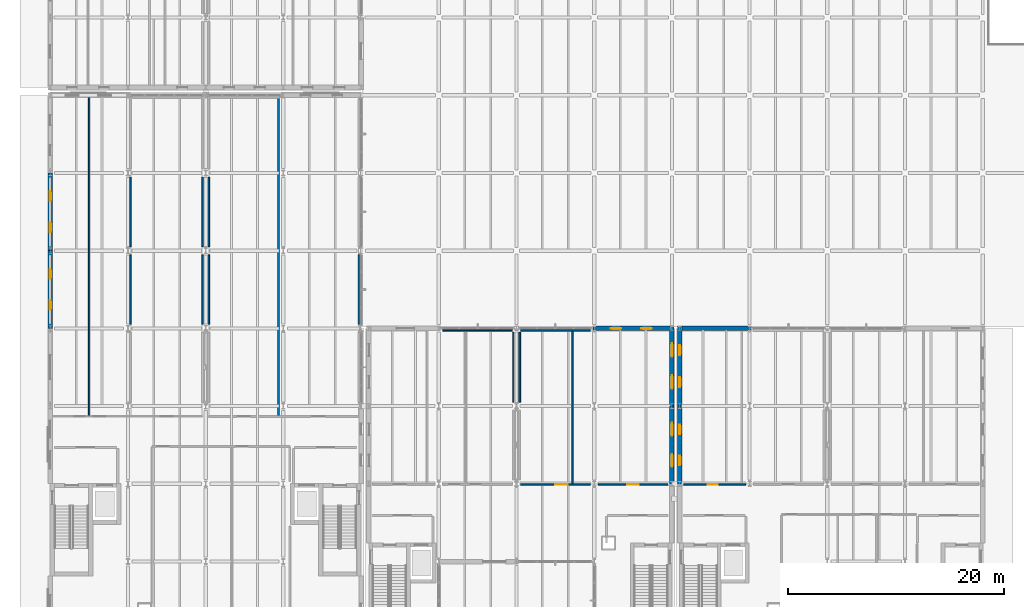
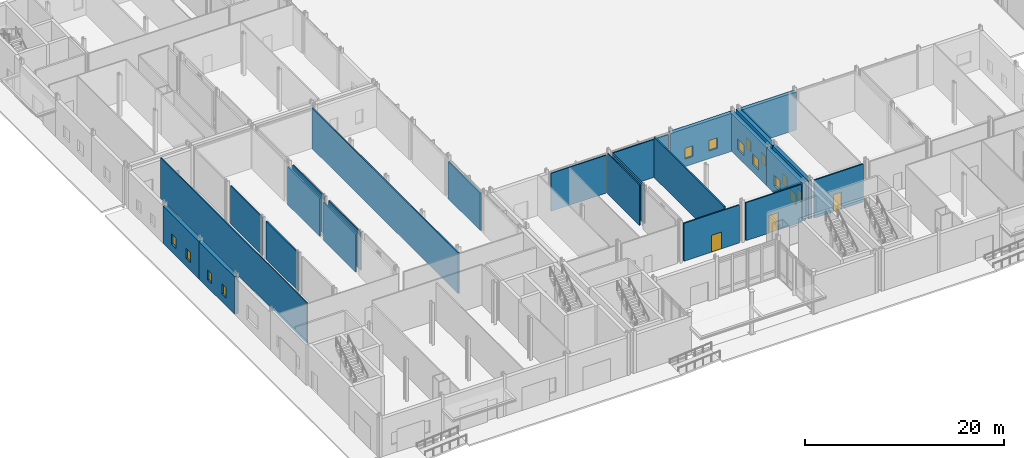
# One storey, part 61 of 89: 25 walls, 14 windows, 3 doors, 17 openings.
"""IFC4 building model written with IfcOpenShell, lengths in metres."""

import ifcopenshell
import ifcopenshell.guid

model = None  # the IFC model being written
_history = None  # IfcOwnerHistory: only IFC2X3 demands one
_inside = {}  # id of a spatial element -> (the spatial element, [elements in it])
_under = {}  # id of a project, library or spatial element -> (it, [spatial elements below it])
_declared = {}  # id of a project -> (the project, [libraries it declares])
_typed = {}  # id of a type object -> (the type object, [elements of that type])
_made_of = {}  # id of a material, layer set ... -> (it, [elements and type objects made of it])


def new_model(schema):
    """Start an empty IFC model of exactly this schema.

    Asked for "IFC4X3", IfcOpenShell would pick the latest addendum, in which some entities
    have other attributes; the version numbers below select the first issue.
    IFC2X3 requires an IfcOwnerHistory on every rooted entity: one is made here for all.
    """
    global model, _history
    if schema == "IFC4X3":
        model = ifcopenshell.file(schema_version=(4, 3, 0, 0))
    else:
        model = ifcopenshell.file(schema=schema)
    _inside.clear()
    _under.clear()
    _declared.clear()
    _typed.clear()
    _made_of.clear()
    _history = None
    if model.schema == "IFC2X3":
        org = make("IfcOrganization", Name="unknown")
        user = make(
            "IfcPersonAndOrganization",
            ThePerson=make("IfcPerson", FamilyName="unknown"),
            TheOrganization=org,
        )
        app = make(
            "IfcApplication",
            ApplicationDeveloper=org,
            Version="unknown",
            ApplicationFullName="unknown",
            ApplicationIdentifier="unknown",
        )
        _history = make(
            "IfcOwnerHistory",
            OwningUser=user,
            OwningApplication=app,
            ChangeAction="ADDED",
            CreationDate=0,
        )
    return model


def make(cls, **values):
    """One entity of the class cls with the attributes given. An attribute that is None is left unset."""
    return model.create_entity(
        cls, **{name: value for name, value in values.items() if value is not None}
    )


def rooted(cls, **values):
    """An entity with a GlobalId (a new one), such as an element, a storey or a relation."""
    return make(cls, GlobalId=ifcopenshell.guid.new(), OwnerHistory=_history, **values)


def si_unit(unit_type, name, prefix=None):
    """IfcSIUnit, for example si_unit("LENGTHUNIT", "METRE", prefix="MILLI")."""
    return make("IfcSIUnit", UnitType=unit_type, Prefix=prefix, Name=name)


def assignment(units):
    """IfcUnitAssignment: the units of a project."""
    return None if units is None else make("IfcUnitAssignment", Units=units)


def point(xyz):
    """IfcCartesianPoint."""
    return None if xyz is None else make("IfcCartesianPoint", Coordinates=xyz)


def direction(xyz):
    """IfcDirection."""
    return None if xyz is None else make("IfcDirection", DirectionRatios=xyz)


def frame(location, z_axis=None, x_axis=None):
    """IfcAxis2Placement3D, a coordinate frame: its origin and axes. An axis left out is left unset."""
    return make(
        "IfcAxis2Placement3D",
        Location=point(location),
        Axis=direction(z_axis),
        RefDirection=direction(x_axis),
    )


def frame_2d(location, x_axis=None):
    """IfcAxis2Placement2D, a coordinate frame in the plane: its origin and x axis."""
    return make(
        "IfcAxis2Placement2D", Location=point(location), RefDirection=direction(x_axis)
    )


def origin():
    """The frame at (0, 0, 0) with its axes left unset."""
    return frame((0.0, 0.0, 0.0))


def place(relative_to, where):
    """IfcLocalPlacement: puts the frame where relative to a parent placement (None: the world)."""
    return make(
        "IfcLocalPlacement", PlacementRelTo=relative_to, RelativePlacement=where
    )


def context(
    kind, dimensions, precision=None, world=None, true_north=None, identifier=None
):
    """IfcGeometricRepresentationContext, for example the 3D "Model" context."""
    return make(
        "IfcGeometricRepresentationContext",
        ContextIdentifier=identifier,
        ContextType=kind,
        CoordinateSpaceDimension=dimensions,
        Precision=precision,
        WorldCoordinateSystem=world,
        TrueNorth=true_north,
    )


def subcontext(parent, identifier, kind, view, scale=None):
    """IfcGeometricRepresentationSubContext, for example "Body" below "Model"."""
    return make(
        "IfcGeometricRepresentationSubContext",
        ContextIdentifier=identifier,
        ContextType=kind,
        ParentContext=parent,
        TargetScale=scale,
        TargetView=view,
    )


def project(units=None, contexts=None):
    """IfcProject with its units and contexts."""
    return rooted(
        "IfcProject",
        Name="project",
        RepresentationContexts=contexts,
        UnitsInContext=assignment(units),
    )


def spatial(cls, under=None, at=None, **own):
    """A site, building, storey or space (cls), placed at a placement, below another one or the project."""
    s = rooted(cls, ObjectPlacement=at, **own)
    if under is not None:
        _under.setdefault(under.id(), (under, []))[1].append(s)
    return s


def profile(cls, at=None, kind="AREA", **sizes):
    """A parametric profile (cls). Its sizes go by their IFC names, for example OverallWidth=200.0."""
    return make(cls, ProfileType=kind, Position=at, **sizes)


def rectangle(**sizes):
    """IfcRectangleProfileDef."""
    return profile("IfcRectangleProfileDef", **sizes)


def extrude(swept, where, along, depth):
    """IfcExtrudedAreaSolid: the profile swept, set in the frame where, extruded along a direction by depth."""
    return make(
        "IfcExtrudedAreaSolid",
        SweptArea=swept,
        Position=where,
        ExtrudedDirection=direction(along),
        Depth=depth,
    )


def shape(context_of_items, identifier, shape_type, items):
    """IfcShapeRepresentation: the items that make up one representation, for example the "Body"."""
    return make(
        "IfcShapeRepresentation",
        ContextOfItems=context_of_items,
        RepresentationIdentifier=identifier,
        RepresentationType=shape_type,
        Items=items,
    )


def material(Name=None, Category=None):
    """IfcMaterial."""
    return make("IfcMaterial", Name=Name, Category=Category)


def layer(
    of_material, thickness, ventilated=None, Name=None, Category=None, Priority=None
):
    """IfcMaterialLayer: one layer of a wall or slab, of a material (None: an air gap)."""
    return make(
        "IfcMaterialLayer",
        Material=of_material,
        LayerThickness=thickness,
        IsVentilated=ventilated,
        Name=Name,
        Category=Category,
        Priority=Priority,
    )


def layer_set(layers, Name=None):
    """IfcMaterialLayerSet."""
    return make("IfcMaterialLayerSet", MaterialLayers=layers, LayerSetName=Name)


def made_of(thing, what):
    """Note that an element or type object is made of a material, layer set ...; save() writes the relation."""
    if what is not None:
        _made_of.setdefault(what.id(), (what, []))[1].append(thing)
    return thing


def type_object(cls, material=None, **own):
    """A type object (cls), such as IfcWallType, which elements share."""
    return made_of(rooted(cls, **own), material)


def element(
    cls,
    number,
    at=None,
    inside=None,
    cuts=None,
    type_object=None,
    material=None,
    context=None,
    identifier="Body",
    shape_type=None,
    held_by="IfcProductDefinitionShape",
    body=None,
    shapes=None,
    **own,
):
    """One element of the class cls, such as IfcWall. Its Tag is "e" and its number.

    at: its placement. inside: the storey or other place that contains it. cuts: it is an
    opening in that element (IfcRelVoidsElement). A single representation is given by context,
    identifier, shape_type and body (its items); several are given by shapes. held_by: the class
    of the entity that holds the representations. save() writes the other relations.
    """
    e = rooted(cls, Tag="e%d" % number, ObjectPlacement=at, **own)
    if body is not None:
        shapes = [shape(context, identifier, shape_type, body)]
    if shapes is not None:
        e.Representation = make(held_by, Representations=shapes)
    if inside is not None:
        _inside.setdefault(inside.id(), (inside, []))[1].append(e)
    if cuts is not None:
        rooted(
            "IfcRelVoidsElement", RelatingBuildingElement=cuts, RelatedOpeningElement=e
        )
    if type_object is not None:
        _typed.setdefault(type_object.id(), (type_object, []))[1].append(e)
    return made_of(e, material)


def fill(opening, filler):
    """IfcRelFillsElement: the door or window that sits in an opening."""
    return rooted(
        "IfcRelFillsElement",
        RelatingOpeningElement=opening,
        RelatedBuildingElement=filler,
    )


def aggregate(whole, parts):
    """IfcRelAggregates: a whole, such as a stair, and the parts it consists of."""
    return rooted("IfcRelAggregates", RelatingObject=whole, RelatedObjects=parts)


def save(model, path):
    """Write the relations noted so far, then the file.

    IfcRelAggregates (storeys below a building ...), IfcRelContainedInSpatialStructure (elements
    in a storey), IfcRelDefinesByType, IfcRelAssociatesMaterial and IfcRelDeclares: one each for
    every whole, place, type object, material and project.
    """
    for whole, parts in _under.values():
        aggregate(whole, parts)
    for where, things in _inside.values():
        rooted(
            "IfcRelContainedInSpatialStructure",
            RelatedElements=things,
            RelatingStructure=where,
        )
    for kind, things in _typed.values():
        rooted("IfcRelDefinesByType", RelatedObjects=things, RelatingType=kind)
    for what, things in _made_of.values():
        rooted("IfcRelAssociatesMaterial", RelatedObjects=things, RelatingMaterial=what)
    for by, libraries in _declared.values():
        rooted("IfcRelDeclares", RelatingContext=by, RelatedDefinitions=libraries)
    model.write(path)


model = new_model("IFC4")

# Units and contexts
model_context = context("Model", 3, precision=1e-05, world=origin(), true_north=direction((0.0, 1.0)))
body_context = subcontext(model_context, "Body", "Model", "MODEL_VIEW")
ifc_project = project(units=[si_unit("LENGTHUNIT", "METRE"), si_unit("AREAUNIT", "SQUARE_METRE"), si_unit("VOLUMEUNIT", "CUBIC_METRE"), si_unit("PLANEANGLEUNIT", "RADIAN"), si_unit("MASSUNIT", "GRAM", prefix="KILO")], contexts=[model_context])

# Site, building, storey
site_placement = place(None, origin())
site = spatial("IfcSite", under=ifc_project, at=site_placement, CompositionType="ELEMENT")
building_placement = place(site_placement, origin())
building = spatial("IfcBuilding", under=site, at=building_placement, Name="Zarrinpeak Specialist Clinic", CompositionType="ELEMENT")
storey_placement = place(building_placement, origin())
storey = spatial("IfcBuildingStorey", under=building, at=storey_placement, Name="L00", CompositionType="ELEMENT", Elevation=0.0)

# Wall, openings, windows
ifc_material_1 = material(Name="Precast concrete C40/50", Category="concrete")
ifc_layer_1 = layer(ifc_material_1, 0.419921875)
ifc_layer_set_1 = layer_set([ifc_layer_1], Name="Precast concrete C40/50")
wall_type_1 = type_object("IfcWallType", Name="WL-EW420", PredefinedType="STANDARD", material=ifc_layer_set_1)
wall_1_placement = place(storey_placement, frame((0.0, 36.0, 0.0), z_axis=(0.0, 0.0, 1.0), x_axis=(0.0, -1.0, 0.0)))
wall_1 = element("IfcWall", 1, at=wall_1_placement, inside=storey, type_object=wall_type_1, Name="L00 V1 Exterior GRC Wall EW-L00-V1-0010", PredefinedType="STANDARD", context=body_context, shape_type="SweptSolid", body=[
    extrude(rectangle(XDim=7.199951171875, YDim=0.419921875, at=frame_2d((3.60009765625, 0.0))), origin(), (0.0, 0.0, 1.0), 4.594970703125),
])
opening_1_placement = place(wall_1_placement, frame((1.72998046875, 0.0, 0.949951171875)))
opening_1 = element("IfcOpeningElement", 2, at=opening_1_placement, cuts=wall_1, Name="Opening WS-01", PredefinedType="OPENING", context=body_context, shape_type="SweptSolid", body=[
    extrude(rectangle(XDim=0.860107421875, YDim=1.260009765625, at=frame_2d((0.43017578125, 0.6298828125))), frame((0.0, 0.219970703125, 0.0), z_axis=(0.0, -1.0, 0.0), x_axis=(1.0, 0.0, 0.0)), (0.0, 0.0, 1.0), 0.43994140625),
])
opening_2_placement = place(wall_1_placement, frame((4.610107421875, 0.0, 0.949951171875)))
opening_2 = element("IfcOpeningElement", 3, at=opening_2_placement, cuts=wall_1, Name="Opening WS-01", PredefinedType="OPENING", context=body_context, shape_type="SweptSolid", body=[
    extrude(rectangle(XDim=0.860107421875, YDim=1.260009765625, at=frame_2d((0.43017578125, 0.6298828125))), frame((0.0, 0.219970703125, 0.0), z_axis=(0.0, -1.0, 0.0), x_axis=(1.0, 0.0, 0.0)), (0.0, 0.0, 1.0), 0.43994140625),
])
ifc_material_2 = material(Name="Thermally Broken Aluminium and Low-E Glazing", Category="aluminium")
window_type_1 = type_object("IfcWindowType", Name="WN-SP01", PartitioningType="SINGLE_PANEL", PredefinedType="WINDOW", material=ifc_material_2)
window_1_placement = place(opening_1_placement, origin())
window_1 = element("IfcWindow", 4, at=window_1_placement, inside=storey, type_object=window_type_1, Name="L00 Modular Facade Window WN-L00-0012", OverallHeight=1.260009765625, OverallWidth=0.860107421875, PartitioningType="SINGLE_PANEL", PredefinedType="WINDOW", context=body_context, shape_type="SweptSolid", body=[
    extrude(rectangle(XDim=0.860107421875, YDim=1.260009765625, at=frame_2d((0.43017578125, 0.6298828125))), frame((0.0, 0.030029296875, 0.0), z_axis=(0.0, -1.0, 0.0), x_axis=(1.0, 0.0, 0.0)), (0.0, 0.0, 1.0), 0.06005859375),
])
fill(opening_1, window_1)
window_2_placement = place(opening_2_placement, origin())
window_2 = element("IfcWindow", 5, at=window_2_placement, inside=storey, type_object=window_type_1, Name="L00 Modular Facade Window WN-L00-0013", OverallHeight=1.260009765625, OverallWidth=0.860107421875, PartitioningType="SINGLE_PANEL", PredefinedType="WINDOW", context=body_context, shape_type="SweptSolid", body=[
    extrude(rectangle(XDim=0.860107421875, YDim=1.260009765625, at=frame_2d((0.43017578125, 0.6298828125))), frame((0.0, 0.030029296875, 0.0), z_axis=(0.0, -1.0, 0.0), x_axis=(1.0, 0.0, 0.0)), (0.0, 0.0, 1.0), 0.06005859375),
])
fill(opening_2, window_2)

wall_2_placement = place(storey_placement, frame((0.0, 43.199951171875, 0.0), z_axis=(0.0, 0.0, 1.0), x_axis=(0.0, -1.0, 0.0)))
wall_2 = element("IfcWall", 6, at=wall_2_placement, inside=storey, type_object=wall_type_1, Name="L00 V1 Exterior GRC Wall EW-L00-V1-0011", PredefinedType="STANDARD", context=body_context, shape_type="SweptSolid", body=[
    extrude(rectangle(XDim=7.199951171875, YDim=0.419921875, at=frame_2d((3.60009765625, 0.0))), origin(), (0.0, 0.0, 1.0), 4.594970703125),
])
opening_3_placement = place(wall_2_placement, frame((1.712890625, 0.0, 0.949951171875)))
opening_3 = element("IfcOpeningElement", 7, at=opening_3_placement, cuts=wall_2, Name="Opening WS-02", PredefinedType="OPENING", context=body_context, shape_type="SweptSolid", body=[
    extrude(rectangle(XDim=0.89404296875, YDim=1.260009765625, at=frame_2d((0.447021484375, 0.6298828125))), frame((0.0, 0.219970703125, 0.0), z_axis=(0.0, -1.0, 0.0), x_axis=(1.0, 0.0, 0.0)), (0.0, 0.0, 1.0), 0.43994140625),
])
opening_4_placement = place(wall_2_placement, frame((4.593017578125, 0.0, 0.949951171875)))
opening_4 = element("IfcOpeningElement", 8, at=opening_4_placement, cuts=wall_2, Name="Opening WS-02", PredefinedType="OPENING", context=body_context, shape_type="SweptSolid", body=[
    extrude(rectangle(XDim=0.89404296875, YDim=1.260009765625, at=frame_2d((0.447021484375, 0.6298828125))), frame((0.0, 0.219970703125, 0.0), z_axis=(0.0, -1.0, 0.0), x_axis=(1.0, 0.0, 0.0)), (0.0, 0.0, 1.0), 0.43994140625),
])
window_type_2 = type_object("IfcWindowType", Name="WN-SP02", PartitioningType="SINGLE_PANEL", PredefinedType="WINDOW", material=ifc_material_2)
window_3_placement = place(opening_3_placement, origin())
window_3 = element("IfcWindow", 9, at=window_3_placement, inside=storey, type_object=window_type_2, Name="L00 Modular Facade Window WN-L00-0014", OverallHeight=1.260009765625, OverallWidth=0.89404296875, PartitioningType="SINGLE_PANEL", PredefinedType="WINDOW", context=body_context, shape_type="SweptSolid", body=[
    extrude(rectangle(XDim=0.89404296875, YDim=1.260009765625, at=frame_2d((0.447021484375, 0.6298828125))), frame((0.0, 0.030029296875, 0.0), z_axis=(0.0, -1.0, 0.0), x_axis=(1.0, 0.0, 0.0)), (0.0, 0.0, 1.0), 0.06005859375),
])
fill(opening_3, window_3)
window_4_placement = place(opening_4_placement, origin())
window_4 = element("IfcWindow", 10, at=window_4_placement, inside=storey, type_object=window_type_2, Name="L00 Modular Facade Window WN-L00-0015", OverallHeight=1.260009765625, OverallWidth=0.89404296875, PartitioningType="SINGLE_PANEL", PredefinedType="WINDOW", context=body_context, shape_type="SweptSolid", body=[
    extrude(rectangle(XDim=0.89404296875, YDim=1.260009765625, at=frame_2d((0.447021484375, 0.6298828125))), frame((0.0, 0.030029296875, 0.0), z_axis=(0.0, -1.0, 0.0), x_axis=(1.0, 0.0, 0.0)), (0.0, 0.0, 1.0), 0.06005859375),
])
fill(opening_4, window_4)

wall_3_placement = place(storey_placement, frame((57.389892578125, 28.800048828125, 0.0), z_axis=(0.0, 0.0, 1.0), x_axis=(-1.0, 0.0, 0.0)))
wall_3 = element("IfcWall", 11, at=wall_3_placement, inside=storey, type_object=wall_type_1, Name="L00 V2 Exterior GRC Wall EW-L00-V2-0100", PredefinedType="STANDARD", context=body_context, shape_type="SweptSolid", body=[
    extrude(rectangle(XDim=7.099853515625, YDim=0.419921875, at=frame_2d((3.5498046875, 0.0))), origin(), (0.0, 0.0, 1.0), 4.6650390625),
])
opening_5_placement = place(wall_3_placement, frame((1.64892578125, 0.0, 0.949951171875)))
opening_5 = element("IfcOpeningElement", 12, at=opening_5_placement, cuts=wall_3, Name="Opening WS-17", PredefinedType="OPENING", context=body_context, shape_type="SweptSolid", body=[
    extrude(rectangle(XDim=0.9619140625, YDim=1.2958984375, at=frame_2d((0.48095703125, 0.64794921875))), frame((0.0, 0.219970703125, 0.0), z_axis=(0.0, -1.0, 0.0), x_axis=(1.0, 0.0, 0.0)), (0.0, 0.0, 1.0), 0.43994140625),
])
opening_6_placement = place(wall_3_placement, frame((4.489013671875, 0.0, 0.949951171875)))
opening_6 = element("IfcOpeningElement", 13, at=opening_6_placement, cuts=wall_3, Name="Opening WS-17", PredefinedType="OPENING", context=body_context, shape_type="SweptSolid", body=[
    extrude(rectangle(XDim=0.9619140625, YDim=1.2958984375, at=frame_2d((0.48095703125, 0.64794921875))), frame((0.0, 0.219970703125, 0.0), z_axis=(0.0, -1.0, 0.0), x_axis=(1.0, 0.0, 0.0)), (0.0, 0.0, 1.0), 0.43994140625),
])
window_type_3 = type_object("IfcWindowType", Name="WN-SP17", PartitioningType="SINGLE_PANEL", PredefinedType="WINDOW", material=ifc_material_2)
window_5_placement = place(opening_5_placement, origin())
window_5 = element("IfcWindow", 14, at=window_5_placement, inside=storey, type_object=window_type_3, Name="L00 Modular Facade Window WN-L00-0138", OverallHeight=1.2958984375, OverallWidth=0.9619140625, PartitioningType="SINGLE_PANEL", PredefinedType="WINDOW", context=body_context, shape_type="SweptSolid", body=[
    extrude(rectangle(XDim=0.9619140625, YDim=1.2958984375, at=frame_2d((0.48095703125, 0.64794921875))), frame((0.0, 0.030029296875, 0.0), z_axis=(0.0, -1.0, 0.0), x_axis=(1.0, 0.0, 0.0)), (0.0, 0.0, 1.0), 0.06005859375),
])
fill(opening_5, window_5)
window_6_placement = place(opening_6_placement, origin())
window_6 = element("IfcWindow", 15, at=window_6_placement, inside=storey, type_object=window_type_3, Name="L00 Modular Facade Window WN-L00-0139", OverallHeight=1.2958984375, OverallWidth=0.9619140625, PartitioningType="SINGLE_PANEL", PredefinedType="WINDOW", context=body_context, shape_type="SweptSolid", body=[
    extrude(rectangle(XDim=0.9619140625, YDim=1.2958984375, at=frame_2d((0.48095703125, 0.64794921875))), frame((0.0, 0.030029296875, 0.0), z_axis=(0.0, -1.0, 0.0), x_axis=(1.0, 0.0, 0.0)), (0.0, 0.0, 1.0), 0.06005859375),
])
fill(opening_6, window_6)

wall_4_placement = place(storey_placement, frame((57.60009765625, 14.39990234375, 0.0), z_axis=(0.0, 0.0, 1.0), x_axis=(0.0, 1.0, 0.0)))
wall_4 = element("IfcWall", 16, at=wall_4_placement, inside=storey, type_object=wall_type_1, Name="L00 V2 Exterior GRC Wall EW-L00-V2-0107", PredefinedType="STANDARD", context=body_context, shape_type="SweptSolid", body=[
    extrude(rectangle(XDim=7.2001953125, YDim=0.419921875, at=frame_2d((3.60009765625, 0.0))), origin(), (0.0, 0.0, 1.0), 4.6650390625),
])
opening_7_placement = place(wall_4_placement, frame((1.56005859375, 0.0, 0.949951171875)))
opening_7 = element("IfcOpeningElement", 17, at=opening_7_placement, cuts=wall_4, Name="Opening WS-24", PredefinedType="OPENING", context=body_context, shape_type="SweptSolid", body=[
    extrude(rectangle(XDim=1.199951171875, YDim=1.2958984375, at=frame_2d((0.60009765625, 0.64794921875))), frame((0.0, 0.219970703125, 0.0), z_axis=(0.0, -1.0, 0.0), x_axis=(1.0, 0.0, 0.0)), (0.0, 0.0, 1.0), 0.43994140625),
])
opening_8_placement = place(wall_4_placement, frame((4.43994140625, 0.0, 0.949951171875)))
opening_8 = element("IfcOpeningElement", 18, at=opening_8_placement, cuts=wall_4, Name="Opening WS-24", PredefinedType="OPENING", context=body_context, shape_type="SweptSolid", body=[
    extrude(rectangle(XDim=1.199951171875, YDim=1.2958984375, at=frame_2d((0.60009765625, 0.64794921875))), frame((0.0, 0.219970703125, 0.0), z_axis=(0.0, -1.0, 0.0), x_axis=(1.0, 0.0, 0.0)), (0.0, 0.0, 1.0), 0.43994140625),
])
window_type_4 = type_object("IfcWindowType", Name="WN-SP24", PartitioningType="SINGLE_PANEL", PredefinedType="WINDOW", material=ifc_material_2)
window_7_placement = place(opening_7_placement, origin())
window_7 = element("IfcWindow", 19, at=window_7_placement, inside=storey, type_object=window_type_4, Name="L00 Modular Facade Window WN-L00-0144", OverallHeight=1.2958984375, OverallWidth=1.199951171875, PartitioningType="SINGLE_PANEL", PredefinedType="WINDOW", context=body_context, shape_type="SweptSolid", body=[
    extrude(rectangle(XDim=1.199951171875, YDim=1.2958984375, at=frame_2d((0.60009765625, 0.64794921875))), frame((0.0, 0.030029296875, 0.0), z_axis=(0.0, -1.0, 0.0), x_axis=(1.0, 0.0, 0.0)), (0.0, 0.0, 1.0), 0.06005859375),
])
fill(opening_7, window_7)
window_8_placement = place(opening_8_placement, origin())
window_8 = element("IfcWindow", 20, at=window_8_placement, inside=storey, type_object=window_type_4, Name="L00 Modular Facade Window WN-L00-0145", OverallHeight=1.2958984375, OverallWidth=1.199951171875, PartitioningType="SINGLE_PANEL", PredefinedType="WINDOW", context=body_context, shape_type="SweptSolid", body=[
    extrude(rectangle(XDim=1.199951171875, YDim=1.2958984375, at=frame_2d((0.60009765625, 0.64794921875))), frame((0.0, 0.030029296875, 0.0), z_axis=(0.0, -1.0, 0.0), x_axis=(1.0, 0.0, 0.0)), (0.0, 0.0, 1.0), 0.06005859375),
])
fill(opening_8, window_8)

wall_5_placement = place(storey_placement, frame((57.60009765625, 21.60009765625, 0.0), z_axis=(0.0, 0.0, 1.0), x_axis=(0.0, 1.0, 0.0)))
wall_5 = element("IfcWall", 21, at=wall_5_placement, inside=storey, type_object=wall_type_1, Name="L00 V2 Exterior GRC Wall EW-L00-V2-0108", PredefinedType="STANDARD", context=body_context, shape_type="SweptSolid", body=[
    extrude(rectangle(XDim=7.409912109375, YDim=0.419921875, at=frame_2d((3.705078125, 0.0))), origin(), (0.0, 0.0, 1.0), 4.6650390625),
])
opening_9_placement = place(wall_5_placement, frame((1.60595703125, 0.0, 0.949951171875)))
opening_9 = element("IfcOpeningElement", 22, at=opening_9_placement, cuts=wall_5, Name="Opening WS-25", PredefinedType="OPENING", context=body_context, shape_type="SweptSolid", body=[
    extrude(rectangle(XDim=1.23388671875, YDim=1.2958984375, at=frame_2d((0.616943359375, 0.64794921875))), frame((0.0, 0.219970703125, 0.0), z_axis=(0.0, -1.0, 0.0), x_axis=(1.0, 0.0, 0.0)), (0.0, 0.0, 1.0), 0.43994140625),
])
opening_10_placement = place(wall_5_placement, frame((4.570068359375, 0.0, 0.949951171875)))
opening_10 = element("IfcOpeningElement", 23, at=opening_10_placement, cuts=wall_5, Name="Opening WS-25", PredefinedType="OPENING", context=body_context, shape_type="SweptSolid", body=[
    extrude(rectangle(XDim=1.23388671875, YDim=1.2958984375, at=frame_2d((0.616943359375, 0.64794921875))), frame((0.0, 0.219970703125, 0.0), z_axis=(0.0, -1.0, 0.0), x_axis=(1.0, 0.0, 0.0)), (0.0, 0.0, 1.0), 0.43994140625),
])
window_type_5 = type_object("IfcWindowType", Name="WN-SP25", PartitioningType="SINGLE_PANEL", PredefinedType="WINDOW", material=ifc_material_2)
window_9_placement = place(opening_9_placement, origin())
window_9 = element("IfcWindow", 24, at=window_9_placement, inside=storey, type_object=window_type_5, Name="L00 Modular Facade Window WN-L00-0146", OverallHeight=1.2958984375, OverallWidth=1.23388671875, PartitioningType="SINGLE_PANEL", PredefinedType="WINDOW", context=body_context, shape_type="SweptSolid", body=[
    extrude(rectangle(XDim=1.23388671875, YDim=1.2958984375, at=frame_2d((0.616943359375, 0.64794921875))), frame((0.0, 0.030029296875, 0.0), z_axis=(0.0, -1.0, 0.0), x_axis=(1.0, 0.0, 0.0)), (0.0, 0.0, 1.0), 0.06005859375),
])
fill(opening_9, window_9)
window_10_placement = place(opening_10_placement, origin())
window_10 = element("IfcWindow", 25, at=window_10_placement, inside=storey, type_object=window_type_5, Name="L00 Modular Facade Window WN-L00-0147", OverallHeight=1.2958984375, OverallWidth=1.23388671875, PartitioningType="SINGLE_PANEL", PredefinedType="WINDOW", context=body_context, shape_type="SweptSolid", body=[
    extrude(rectangle(XDim=1.23388671875, YDim=1.2958984375, at=frame_2d((0.616943359375, 0.64794921875))), frame((0.0, 0.030029296875, 0.0), z_axis=(0.0, -1.0, 0.0), x_axis=(1.0, 0.0, 0.0)), (0.0, 0.0, 1.0), 0.06005859375),
])
fill(opening_10, window_10)

# Wall
wall_6_placement = place(storey_placement, frame((64.909912109375, 28.800048828125, 0.0), z_axis=(0.0, 0.0, 1.0), x_axis=(-1.0, 0.0, 0.0)))
element("IfcWall", 26, at=wall_6_placement, inside=storey, type_object=wall_type_1, Name="L00 V4 Exterior GRC Wall EW-L00-V4-0155", PredefinedType="STANDARD", context=body_context, shape_type="SweptSolid", body=[
    extrude(rectangle(XDim=6.3798828125, YDim=0.419921875, at=frame_2d((3.18994140625, 0.0))), origin(), (0.0, 0.0, 1.0), 4.6650390625),
])

# Wall, openings, windows
wall_7_placement = place(storey_placement, frame((58.320068359375, 21.60009765625, 0.0), z_axis=(0.0, 0.0, 1.0), x_axis=(0.0, -1.0, 0.0)))
wall_7 = element("IfcWall", 27, at=wall_7_placement, inside=storey, type_object=wall_type_1, Name="L00 V4 Exterior GRC Wall EW-L00-V4-0159", PredefinedType="STANDARD", context=body_context, shape_type="SweptSolid", body=[
    extrude(rectangle(XDim=7.2001953125, YDim=0.419921875, at=frame_2d((3.60009765625, 0.0))), origin(), (0.0, 0.0, 1.0), 4.6650390625),
])
opening_11_placement = place(wall_7_placement, frame((1.712890625, 0.0, 0.949951171875)))
opening_11 = element("IfcOpeningElement", 28, at=opening_11_placement, cuts=wall_7, Name="Opening WS-02", PredefinedType="OPENING", context=body_context, shape_type="SweptSolid", body=[
    extrude(rectangle(XDim=0.89404296875, YDim=1.260009765625, at=frame_2d((0.447021484375, 0.6298828125))), frame((0.0, 0.219970703125, 0.0), z_axis=(0.0, -1.0, 0.0), x_axis=(1.0, 0.0, 0.0)), (0.0, 0.0, 1.0), 0.43994140625),
])
opening_12_placement = place(wall_7_placement, frame((4.593017578125, 0.0, 0.949951171875)))
opening_12 = element("IfcOpeningElement", 29, at=opening_12_placement, cuts=wall_7, Name="Opening WS-02", PredefinedType="OPENING", context=body_context, shape_type="SweptSolid", body=[
    extrude(rectangle(XDim=0.89404296875, YDim=1.260009765625, at=frame_2d((0.447021484375, 0.6298828125))), frame((0.0, 0.219970703125, 0.0), z_axis=(0.0, -1.0, 0.0), x_axis=(1.0, 0.0, 0.0)), (0.0, 0.0, 1.0), 0.43994140625),
])
window_11_placement = place(opening_11_placement, origin())
window_11 = element("IfcWindow", 30, at=window_11_placement, inside=storey, type_object=window_type_2, Name="L00 Modular Facade Window WN-L00-0186", OverallHeight=1.260009765625, OverallWidth=0.89404296875, PartitioningType="SINGLE_PANEL", PredefinedType="WINDOW", context=body_context, shape_type="SweptSolid", body=[
    extrude(rectangle(XDim=0.89404296875, YDim=1.260009765625, at=frame_2d((0.447021484375, 0.6298828125))), frame((0.0, 0.030029296875, 0.0), z_axis=(0.0, -1.0, 0.0), x_axis=(1.0, 0.0, 0.0)), (0.0, 0.0, 1.0), 0.06005859375),
])
fill(opening_11, window_11)
window_12_placement = place(opening_12_placement, origin())
window_12 = element("IfcWindow", 31, at=window_12_placement, inside=storey, type_object=window_type_2, Name="L00 Modular Facade Window WN-L00-0187", OverallHeight=1.260009765625, OverallWidth=0.89404296875, PartitioningType="SINGLE_PANEL", PredefinedType="WINDOW", context=body_context, shape_type="SweptSolid", body=[
    extrude(rectangle(XDim=0.89404296875, YDim=1.260009765625, at=frame_2d((0.447021484375, 0.6298828125))), frame((0.0, 0.030029296875, 0.0), z_axis=(0.0, -1.0, 0.0), x_axis=(1.0, 0.0, 0.0)), (0.0, 0.0, 1.0), 0.06005859375),
])
fill(opening_12, window_12)

wall_8_placement = place(storey_placement, frame((58.320068359375, 29.010009765625, 0.0), z_axis=(0.0, 0.0, 1.0), x_axis=(0.0, -1.0, 0.0)))
wall_8 = element("IfcWall", 32, at=wall_8_placement, inside=storey, type_object=wall_type_1, Name="L00 V4 Exterior GRC Wall EW-L00-V4-0160", PredefinedType="STANDARD", context=body_context, shape_type="SweptSolid", body=[
    extrude(rectangle(XDim=7.409912109375, YDim=0.419921875, at=frame_2d((3.705078125, 0.0))), origin(), (0.0, 0.0, 1.0), 4.6650390625),
])
opening_13_placement = place(wall_8_placement, frame((1.759033203125, 0.0, 0.949951171875)))
opening_13 = element("IfcOpeningElement", 33, at=opening_13_placement, cuts=wall_8, Name="Opening WS-03", PredefinedType="OPENING", context=body_context, shape_type="SweptSolid", body=[
    extrude(rectangle(XDim=0.927978515625, YDim=1.260009765625, at=frame_2d((0.4638671875, 0.6298828125))), frame((0.0, 0.219970703125, 0.0), z_axis=(0.0, -1.0, 0.0), x_axis=(1.0, 0.0, 0.0)), (0.0, 0.0, 1.0), 0.43994140625),
])
opening_14_placement = place(wall_8_placement, frame((4.722900390625, 0.0, 0.949951171875)))
opening_14 = element("IfcOpeningElement", 34, at=opening_14_placement, cuts=wall_8, Name="Opening WS-03", PredefinedType="OPENING", context=body_context, shape_type="SweptSolid", body=[
    extrude(rectangle(XDim=0.927978515625, YDim=1.260009765625, at=frame_2d((0.4638671875, 0.6298828125))), frame((0.0, 0.219970703125, 0.0), z_axis=(0.0, -1.0, 0.0), x_axis=(1.0, 0.0, 0.0)), (0.0, 0.0, 1.0), 0.43994140625),
])
window_type_6 = type_object("IfcWindowType", Name="WN-SP03", PartitioningType="SINGLE_PANEL", PredefinedType="WINDOW", material=ifc_material_2)
window_13_placement = place(opening_13_placement, origin())
window_13 = element("IfcWindow", 35, at=window_13_placement, inside=storey, type_object=window_type_6, Name="L00 Modular Facade Window WN-L00-0188", OverallHeight=1.260009765625, OverallWidth=0.927978515625, PartitioningType="SINGLE_PANEL", PredefinedType="WINDOW", context=body_context, shape_type="SweptSolid", body=[
    extrude(rectangle(XDim=0.927978515625, YDim=1.260009765625, at=frame_2d((0.4638671875, 0.6298828125))), frame((0.0, 0.030029296875, 0.0), z_axis=(0.0, -1.0, 0.0), x_axis=(1.0, 0.0, 0.0)), (0.0, 0.0, 1.0), 0.06005859375),
])
fill(opening_13, window_13)
window_14_placement = place(opening_14_placement, origin())
window_14 = element("IfcWindow", 36, at=window_14_placement, inside=storey, type_object=window_type_6, Name="L00 Modular Facade Window WN-L00-0189", OverallHeight=1.260009765625, OverallWidth=0.927978515625, PartitioningType="SINGLE_PANEL", PredefinedType="WINDOW", context=body_context, shape_type="SweptSolid", body=[
    extrude(rectangle(XDim=0.927978515625, YDim=1.260009765625, at=frame_2d((0.4638671875, 0.6298828125))), frame((0.0, 0.030029296875, 0.0), z_axis=(0.0, -1.0, 0.0), x_axis=(1.0, 0.0, 0.0)), (0.0, 0.0, 1.0), 0.06005859375),
])
fill(opening_14, window_14)

# Walls
ifc_material_3 = material(Name="Sanitary Service Chase Plumbing Wall", Category="gypsum")
ifc_layer_2 = layer(ifc_material_3, 0.110107421875)
ifc_layer_set_2 = layer_set([ifc_layer_2], Name="Sanitary Service Chase Plumbing Wall")
wall_type_2 = type_object("IfcWallType", Name="WL-IW110", PredefinedType="PARTITIONING", material=ifc_layer_set_2)
wall_9_placement = place(storey_placement, frame((36.3798828125, 28.60009765625, 0.0), z_axis=(0.0, 0.0, 1.0), x_axis=(1.0, 0.0, 0.0)))
element("IfcWall", 37, at=wall_9_placement, inside=storey, type_object=wall_type_2, Name="L00 Accessible Public WC Partition", PredefinedType="PARTITIONING", context=body_context, shape_type="SweptSolid", body=[
    extrude(rectangle(XDim=6.440185546875, YDim=0.110107421875, at=frame_2d((3.22021484375, 0.0))), origin(), (0.0, 0.0, 1.0), 4.6650390625),
])
wall_10_placement = place(storey_placement, frame((42.89990234375, 21.97998046875, 0.0), z_axis=(0.0, 0.0, 1.0), x_axis=(0.0, 1.0, 0.0)))
element("IfcWall", 38, at=wall_10_placement, inside=storey, type_object=wall_type_2, Name="L00 Family Parenting and Washroom Dividing Partition", PredefinedType="PARTITIONING", context=body_context, shape_type="SweptSolid", body=[
    extrude(rectangle(XDim=6.43994140625, YDim=0.110107421875, at=frame_2d((3.219970703125, 0.0))), origin(), (0.0, 0.0, 1.0), 4.969970703125),
])
ifc_material_4 = material(Name="Moisture-Resistant Wet-Room Partition", Category="gypsum")
ifc_layer_3 = layer(ifc_material_4, 0.125)
ifc_layer_set_3 = layer_set([ifc_layer_3], Name="Moisture-Resistant Wet-Room Partition")
wall_type_3 = type_object("IfcWallType", Name="WL-IW125W", PredefinedType="PARTITIONING", material=ifc_layer_set_3)
wall_11_placement = place(storey_placement, frame((3.60009765625, 20.705078125, 0.0), z_axis=(0.0, 0.0, 1.0), x_axis=(0.0, 1.0, 0.0)))
element("IfcWall", 39, at=wall_11_placement, inside=storey, type_object=wall_type_3, Name="L00 Public Washroom Dividing Partition", PredefinedType="PARTITIONING", context=body_context, shape_type="SweptSolid", body=[
    extrude(rectangle(XDim=29.48486328125, YDim=0.125, at=frame_2d((14.742431640625, 0.0))), origin(), (0.0, 0.0, 1.0), 4.969970703125),
])
ifc_material_5 = material(Name="Standard Drywall Partition", Category="gypsum")
ifc_layer_4 = layer(ifc_material_5, 0.135009765625)
ifc_layer_set_4 = layer_set([ifc_layer_4], Name="Standard Drywall Partition")
wall_type_4 = type_object("IfcWallType", Name="WL-IW135", PredefinedType="PARTITIONING", material=ifc_layer_set_4)
wall_12_placement = place(storey_placement, frame((43.580078125, 28.60009765625, 0.0), z_axis=(0.0, 0.0, 1.0), x_axis=(1.0, 0.0, 0.0)))
element("IfcWall", 40, at=wall_12_placement, inside=storey, type_object=wall_type_4, Name="L00 Patient Financial Counseling Partition", PredefinedType="PARTITIONING", context=body_context, shape_type="SweptSolid", body=[
    extrude(rectangle(XDim=6.43994140625, YDim=0.135009765625, at=frame_2d((3.219970703125, 0.0))), origin(), (0.0, 0.0, 1.0), 4.6650390625),
])

# Wall, opening, door
ifc_material_6 = material(Name="Acoustic Consultation Stud Partition", Category="gypsum")
ifc_layer_5 = layer(ifc_material_6, 0.14208984375)
ifc_layer_set_5 = layer_set([ifc_layer_5], Name="Acoustic Consultation Stud Partition")
wall_type_5 = type_object("IfcWallType", Name="WL-IW142", PredefinedType="PARTITIONING", material=ifc_layer_set_5)
wall_13_placement = place(storey_placement, frame((43.580078125, 14.35009765625, 0.0), z_axis=(0.0, 0.0, 1.0), x_axis=(1.0, 0.0, 0.0)))
wall_13 = element("IfcWall", 41, at=wall_13_placement, inside=storey, type_object=wall_type_5, Name="L00 Patient Financial Counseling Partition", PredefinedType="PARTITIONING", context=body_context, shape_type="SweptSolid", body=[
    extrude(rectangle(XDim=6.43994140625, YDim=0.14208984375, at=frame_2d((3.219970703125, 0.0))), origin(), (0.0, 0.0, 1.0), 4.6650390625),
])
opening_15_placement = place(wall_13_placement, frame((3.2041015625, 0.0, 0.0)))
opening_15 = element("IfcOpeningElement", 42, at=opening_15_placement, cuts=wall_13, Name="Opening DS-25", PredefinedType="OPENING", context=body_context, shape_type="SweptSolid", body=[
    extrude(rectangle(XDim=1.166015625, YDim=2.068115234375, at=frame_2d((0.5830078125, 1.0341796875))), frame((0.0, 0.0810546875, 0.0), z_axis=(0.0, -1.0, 0.0), x_axis=(1.0, 0.0, 0.0)), (0.0, 0.0, 1.0), 0.162109375),
])
ifc_material_7 = material(Name="Powder-Coated Galvanised Steel", Category="steel")
door_type_1 = type_object("IfcDoorType", Name="DR-SP25", OperationType="SINGLE_SWING_RIGHT", PredefinedType="DOOR", material=ifc_material_7)
door_1_placement = place(opening_15_placement, frame((1.166015625, 0.0, 0.0), z_axis=(0.0, 0.0, 1.0), x_axis=(-1.0, 0.0, 0.0)))
door_1 = element("IfcDoor", 43, at=door_1_placement, inside=storey, type_object=door_type_1, Name="L00 Patient Financial Counseling Door", OperationType="SINGLE_SWING_RIGHT", OverallHeight=2.068115234375, OverallWidth=1.166015625, PredefinedType="DOOR", context=body_context, shape_type="SweptSolid", body=[
    extrude(rectangle(XDim=1.166015625, YDim=2.068115234375, at=frame_2d((0.5830078125, 1.0341796875))), frame((0.0, 0.02490234375, 0.0), z_axis=(0.0, -1.0, 0.0), x_axis=(1.0, 0.0, 0.0)), (0.0, 0.0, 1.0), 0.050048828125),
])
fill(opening_15, door_1)

wall_14_placement = place(storey_placement, frame((50.780029296875, 14.35009765625, 0.0), z_axis=(0.0, 0.0, 1.0), x_axis=(1.0, 0.0, 0.0)))
wall_14 = element("IfcWall", 44, at=wall_14_placement, inside=storey, type_object=wall_type_5, Name="L00 Patient Financial Counseling Partition", PredefinedType="PARTITIONING", context=body_context, shape_type="SweptSolid", body=[
    extrude(rectangle(XDim=6.43994140625, YDim=0.14208984375, at=frame_2d((3.219970703125, 0.0))), origin(), (0.0, 0.0, 1.0), 4.6650390625),
])
opening_16_placement = place(wall_14_placement, frame((2.669921875, 0.0, 0.0)))
opening_16 = element("IfcOpeningElement", 45, at=opening_16_placement, cuts=wall_14, Name="Opening D-PH1", PredefinedType="OPENING", context=body_context, shape_type="SweptSolid", body=[
    extrude(rectangle(XDim=1.10009765625, YDim=2.14990234375, at=frame_2d((0.550048828125, 1.074951171875))), frame((0.0, 0.0810546875, 0.0), z_axis=(0.0, -1.0, 0.0), x_axis=(1.0, 0.0, 0.0)), (0.0, 0.0, 1.0), 0.162109375),
])
door_type_2 = type_object("IfcDoorType", Name="DR-PHM110", OperationType="SINGLE_SWING_RIGHT", PredefinedType="DOOR", material=ifc_material_7)
door_2_placement = place(opening_16_placement, frame((1.10009765625, 0.0, 0.0), z_axis=(0.0, 0.0, 1.0), x_axis=(-1.0, 0.0, 0.0)))
door_2 = element("IfcDoor", 46, at=door_2_placement, inside=storey, type_object=door_type_2, Name="L00 Outpatient Dispensing Pharmacy Door", OperationType="SINGLE_SWING_RIGHT", OverallHeight=2.14990234375, OverallWidth=1.10009765625, PredefinedType="DOOR", context=body_context, shape_type="SweptSolid", body=[
    extrude(rectangle(XDim=1.10009765625, YDim=2.14990234375, at=frame_2d((0.550048828125, 1.074951171875))), frame((0.0, 0.02490234375, 0.0), z_axis=(0.0, -1.0, 0.0), x_axis=(1.0, 0.0, 0.0)), (0.0, 0.0, 1.0), 0.050048828125),
])
fill(opening_16, door_2)

# Walls
for number, where, z_axis, x_axis, name in (
    (47, (7.449951171875, 36.3798828125, 0.0), (0.0, 0.0, 1.0), (0.0, 1.0, 0.0), "L00 Fire Command Room Dividing Partition"),
    (48, (14.10009765625, 36.3798828125, 0.0), (0.0, 0.0, 1.0), (0.0, 1.0, 0.0), "L00 Cardiology ECG Diagnostic Suite Dividing Partition"),
):
    element("IfcWall", number, at=place(storey_placement, frame(where, z_axis=z_axis, x_axis=x_axis)), inside=storey, type_object=wall_type_5, Name=name, PredefinedType="PARTITIONING", context=body_context, shape_type="SweptSolid", body=[
        extrude(rectangle(XDim=6.440185546875, YDim=0.14208984375, at=frame_2d((3.22021484375, 0.0))), origin(), (0.0, 0.0, 1.0), 4.6650390625),
    ])
wall_15_placement = place(storey_placement, frame((28.60009765625, 29.179931640625, 0.0), z_axis=(0.0, 0.0, 1.0), x_axis=(0.0, 1.0, 0.0)))
element("IfcWall", 49, at=wall_15_placement, inside=storey, type_object=wall_type_5, Name="L00 Phlebotomy Specimen Collection Dividing Partition", PredefinedType="PARTITIONING", context=body_context, shape_type="SweptSolid", body=[
    extrude(rectangle(XDim=6.440185546875, YDim=0.14208984375, at=frame_2d((3.22021484375, 0.0))), origin(), (0.0, 0.0, 1.0), 4.594970703125),
])

# Wall, opening, door
ifc_material_8 = material(Name="Insulated Clinical Gypsum Stud Partition", Category="gypsum")
ifc_layer_6 = layer(ifc_material_8, 0.14990234375)
ifc_layer_set_6 = layer_set([ifc_layer_6], Name="Insulated Clinical Gypsum Stud Partition")
wall_type_6 = type_object("IfcWallType", Name="WL-IW150", PredefinedType="PARTITIONING", material=ifc_layer_set_6)
wall_16_placement = place(storey_placement, frame((58.699951171875, 14.35009765625, 0.0), z_axis=(0.0, 0.0, 1.0), x_axis=(1.0, 0.0, 0.0)))
wall_16 = element("IfcWall", 50, at=wall_16_placement, inside=storey, type_object=wall_type_6, Name="L00 Discharge Lounge Partition", PredefinedType="PARTITIONING", context=body_context, shape_type="SweptSolid", body=[
    extrude(rectangle(XDim=5.719970703125, YDim=0.14990234375, at=frame_2d((2.85986328125, 0.0))), origin(), (0.0, 0.0, 1.0), 4.6650390625),
])
opening_17_placement = place(wall_16_placement, frame((2.218994140625, 0.0, 0.0)))
opening_17 = element("IfcOpeningElement", 51, at=opening_17_placement, cuts=wall_16, Name="Opening DS-29", PredefinedType="OPENING", context=body_context, shape_type="SweptSolid", body=[
    extrude(rectangle(XDim=0.931884765625, YDim=2.095947265625, at=frame_2d((0.4658203125, 1.0478515625))), frame((0.0, 0.0849609375, 0.0), z_axis=(0.0, -1.0, 0.0), x_axis=(1.0, 0.0, 0.0)), (0.0, 0.0, 1.0), 0.169921875),
])
door_type_3 = type_object("IfcDoorType", Name="DR-SP29", OperationType="SINGLE_SWING_RIGHT", PredefinedType="DOOR", material=ifc_material_7)
door_3_placement = place(opening_17_placement, frame((0.931884765625, 0.0, 0.0), z_axis=(0.0, 0.0, 1.0), x_axis=(-1.0, 0.0, 0.0)))
door_3 = element("IfcDoor", 52, at=door_3_placement, inside=storey, type_object=door_type_3, Name="L00 Discharge Lounge Door", OperationType="SINGLE_SWING_RIGHT", OverallHeight=2.095947265625, OverallWidth=0.931884765625, PredefinedType="DOOR", context=body_context, shape_type="SweptSolid", body=[
    extrude(rectangle(XDim=0.931884765625, YDim=2.095947265625, at=frame_2d((0.4658203125, 1.0478515625))), frame((0.0, 0.02490234375, 0.0), z_axis=(0.0, -1.0, 0.0), x_axis=(1.0, 0.0, 0.0)), (0.0, 0.0, 1.0), 0.050048828125),
])
fill(opening_17, door_3)

# Walls
for number, where, z_axis, x_axis, name in (
    (53, (7.449951171875, 29.179931640625, 0.0), (0.0, 0.0, 1.0), (0.0, 1.0, 0.0), "L00 Fire Command Room Dividing Partition"),
    (54, (14.10009765625, 29.179931640625, 0.0), (0.0, 0.0, 1.0), (0.0, 1.0, 0.0), "L00 Cardiology ECG Diagnostic Suite Dividing Partition"),
    (55, (14.699951171875, 36.3798828125, 0.0), (0.0, 0.0, 1.0), (0.0, 1.0, 0.0), "L00 Main Outpatient Triage Reception Dividing Partition"),
):
    element("IfcWall", number, at=place(storey_placement, frame(where, z_axis=z_axis, x_axis=x_axis)), inside=storey, type_object=wall_type_6, Name=name, PredefinedType="PARTITIONING", context=body_context, shape_type="SweptSolid", body=[
        extrude(rectangle(XDim=6.440185546875, YDim=0.14990234375, at=frame_2d((3.22021484375, 0.0))), origin(), (0.0, 0.0, 1.0), 4.6650390625),
    ])
ifc_material_9 = material(Name="Acoustic Double Gypsum Stud Partition", Category="gypsum")
ifc_layer_7 = layer(ifc_material_9, 0.159912109375)
ifc_layer_set_7 = layer_set([ifc_layer_7], Name="Acoustic Double Gypsum Stud Partition")
wall_type_7 = type_object("IfcWallType", Name="WL-IW160", PredefinedType="PARTITIONING", material=ifc_layer_set_7)
wall_17_placement = place(storey_placement, frame((14.699951171875, 29.179931640625, 0.0), z_axis=(0.0, 0.0, 1.0), x_axis=(0.0, 1.0, 0.0)))
element("IfcWall", 56, at=wall_17_placement, inside=storey, type_object=wall_type_7, Name="L00 Main Outpatient Triage Reception Dividing Partition", PredefinedType="PARTITIONING", context=body_context, shape_type="SweptSolid", body=[
    extrude(rectangle(XDim=6.440185546875, YDim=0.159912109375, at=frame_2d((3.22021484375, 0.0))), origin(), (0.0, 0.0, 1.0), 4.6650390625),
])
wall_18_placement = place(storey_placement, frame((21.14990234375, 20.72509765625, 0.0), z_axis=(0.0, 0.0, 1.0), x_axis=(0.0, 1.0, 0.0)))
element("IfcWall", 57, at=wall_18_placement, inside=storey, type_object=wall_type_7, Name="L00 Main Outpatient Triage Reception Dividing Partition", PredefinedType="PARTITIONING", context=body_context, shape_type="SweptSolid", body=[
    extrude(rectangle(XDim=29.40380859375, YDim=0.159912109375, at=frame_2d((14.701904296875, 0.0))), origin(), (0.0, 0.0, 1.0), 4.969970703125),
])
wall_19_placement = place(storey_placement, frame((43.5, 21.97998046875, 0.0), z_axis=(0.0, 0.0, 1.0), x_axis=(0.0, 1.0, 0.0)))
element("IfcWall", 58, at=wall_19_placement, inside=storey, type_object=wall_type_7, Name="L00 Patient Financial Counseling Dividing Partition", PredefinedType="PARTITIONING", context=body_context, shape_type="SweptSolid", body=[
    extrude(rectangle(XDim=6.43994140625, YDim=0.159912109375, at=frame_2d((3.219970703125, 0.0))), origin(), (0.0, 0.0, 1.0), 4.6650390625),
])
wall_20_placement = place(storey_placement, frame((48.39990234375, 14.4208984375, 0.0), z_axis=(0.0, 0.0, 1.0), x_axis=(0.0, 1.0, 0.0)))
element("IfcWall", 59, at=wall_20_placement, inside=storey, type_object=wall_type_7, Name="L00 Patient Financial Counseling Dividing Partition", PredefinedType="PARTITIONING", context=body_context, shape_type="SweptSolid", body=[
    extrude(rectangle(XDim=14.111572265625, YDim=0.159912109375, at=frame_2d((7.0556640625, 0.0))), origin(), (0.0, 0.0, 1.0), 4.969970703125),
])

save(model, "model.ifc")
